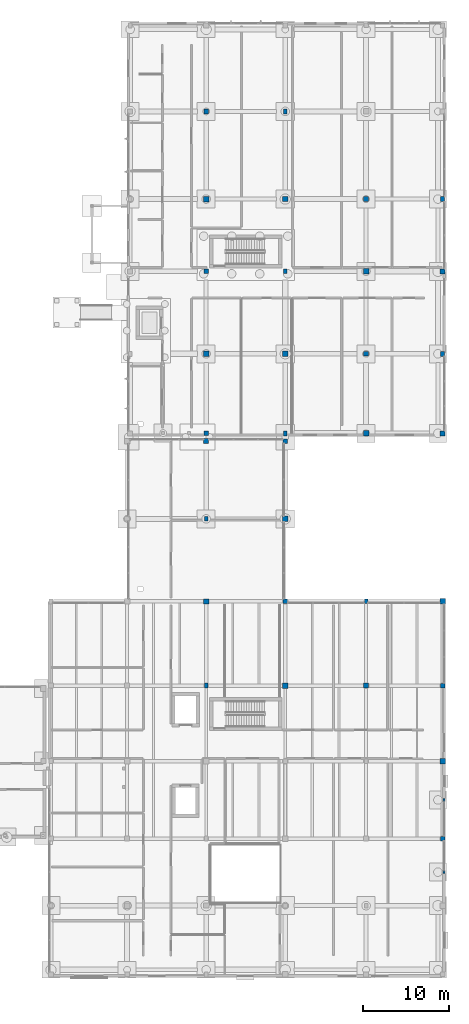
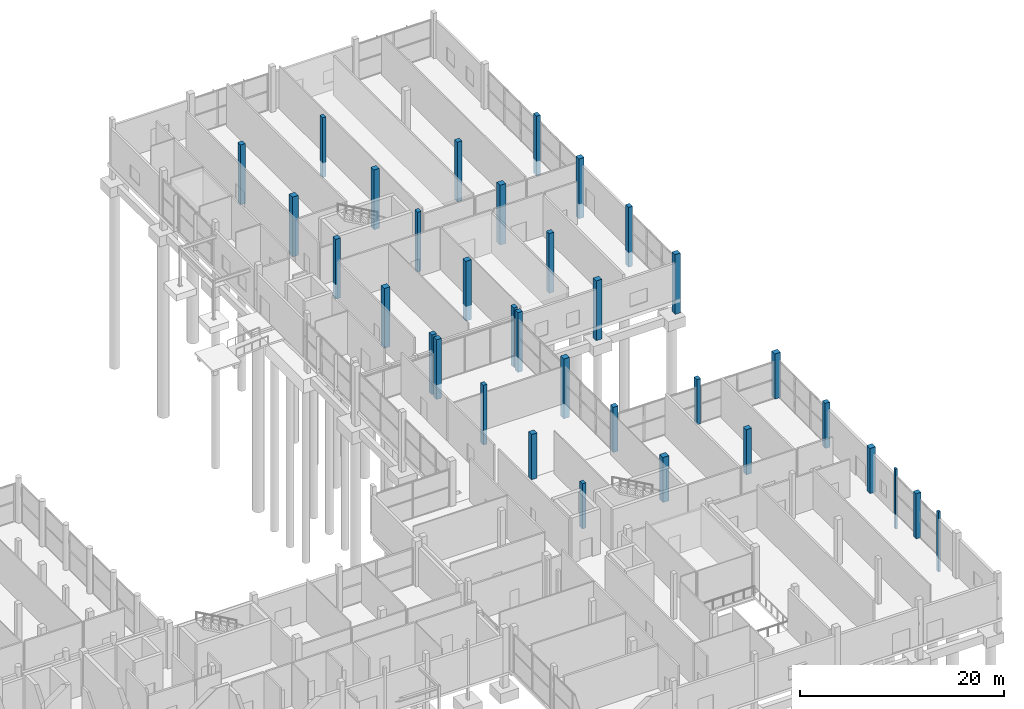
# One storey, part 15 of 88: 34 columns.
"""IFC4 building model written with IfcOpenShell, lengths in metres."""

from ifc_helpers import new_model, si_unit, direction, frame, origin, origin_2d, place, context, subcontext, project, spatial, rectangle, extrude, material, material_profile, profile_set, type_object, element, save


model = new_model("IFC4")

# Units and contexts
model_context = context("Model", 3, precision=1e-05, world=origin(), true_north=direction((0.0, 1.0)))
body_context = subcontext(model_context, "Body", "Model", "MODEL_VIEW")
ifc_project = project(units=[si_unit("LENGTHUNIT", "METRE"), si_unit("AREAUNIT", "SQUARE_METRE"), si_unit("VOLUMEUNIT", "CUBIC_METRE"), si_unit("PLANEANGLEUNIT", "RADIAN"), si_unit("MASSUNIT", "GRAM", prefix="KILO")], contexts=[model_context])

# Site, building, storey
site_placement = place(None, origin())
site = spatial("IfcSite", under=ifc_project, at=site_placement, CompositionType="ELEMENT")
building_placement = place(site_placement, origin())
building = spatial("IfcBuilding", under=site, at=building_placement, Name="Birchvale Park Specialist Clinic", CompositionType="ELEMENT")
storey_placement = place(building_placement, origin())
storey = spatial("IfcBuildingStorey", under=building, at=storey_placement, Name="L00", CompositionType="ELEMENT", Elevation=0.0)

# Columns
ifc_material = material(Name="Concrete C40/50", Category="concrete")
ifc_material_profile_1 = material_profile(ifc_material, rectangle(XDim=0.6298828125, YDim=0.6298828125, at=origin_2d()), Name="RC-630x630")
ifc_profile_set_1 = profile_set([ifc_material_profile_1], Name="Concrete C40/50")
column_type_1 = type_object("IfcColumnType", Name="COL-EXT-C02", PredefinedType="COLUMN", material=ifc_profile_set_1)
for number, where, z_axis, x_axis, name in (
    (1, (164.699951171875, 25.800048828125, 0.0), (0.0, 0.0, 1.0), (1.0, 0.0, 0.0), "V5 L00 column 40"),
    (2, (164.699951171875, 44.39990234375, 0.0), (0.0, 0.0, 1.0), (1.0, 0.0, 0.0), "V5 L00 column 42"),
):
    element("IfcColumn", number, at=place(storey_placement, frame(where, z_axis=z_axis, x_axis=x_axis)), inside=storey, type_object=column_type_1, Name=name, PredefinedType="COLUMN", context=body_context, shape_type="SweptSolid", body=[
        extrude(rectangle(XDim=0.6298828125, YDim=0.6298828125, at=origin_2d()), origin(), (0.0, 0.0, 1.0), 5.39990234375),
    ])
column_1_placement = place(storey_placement, frame((155.800048828125, 63.949951171875, -1.75), z_axis=(0.0, 0.0, 1.0), x_axis=(1.0, 0.0, 0.0)))
element("IfcColumn", 3, at=column_1_placement, inside=storey, type_object=column_type_1, Name="V6 L00 column 19", PredefinedType="COLUMN", context=body_context, shape_type="SweptSolid", body=[
    extrude(rectangle(XDim=0.6298828125, YDim=0.6298828125, at=origin_2d()), origin(), (0.0, 0.0, 1.0), 7.14990234375),
])
ifc_material_profile_2 = material_profile(ifc_material, rectangle(XDim=0.580078125, YDim=0.580078125, at=origin_2d()), Name="RC-580x580")
ifc_profile_set_2 = profile_set([ifc_material_profile_2], Name="Concrete C40/50")
column_type_2 = type_object("IfcColumnType", Name="COL-EXT-C03", PredefinedType="COLUMN", material=ifc_profile_set_2)
for number, where, z_axis, x_axis, name in (
    (4, (137.199951171875, 63.050048828125, -1.75), (0.0, 0.0, 1.0), (1.0, 0.0, 0.0), "V5 L00 column 22"),
    (5, (164.699951171875, 63.949951171875, -1.75), (0.0, 0.0, 1.0), (1.0, 0.0, 0.0), "V6 L00 column 25"),
    (6, (164.699951171875, 82.800048828125, -1.75), (0.0, 0.0, 1.0), (1.0, 0.0, 0.0), "V6 L00 column 27"),
):
    element("IfcColumn", number, at=place(storey_placement, frame(where, z_axis=z_axis, x_axis=x_axis)), inside=storey, type_object=column_type_2, Name=name, PredefinedType="COLUMN", context=body_context, shape_type="SweptSolid", body=[
        extrude(rectangle(XDim=0.580078125, YDim=0.580078125, at=origin_2d()), origin(), (0.0, 0.0, 1.0), 7.14990234375),
    ])
ifc_material_profile_3 = material_profile(ifc_material, rectangle(XDim=0.530029296875, YDim=0.530029296875, at=origin_2d()), Name="RC-530x530")
ifc_profile_set_3 = profile_set([ifc_material_profile_3], Name="Concrete C40/50")
column_type_3 = type_object("IfcColumnType", Name="COL-EXT-C04", PredefinedType="COLUMN", material=ifc_profile_set_3)
column_2_placement = place(storey_placement, frame((146.39990234375, 63.050048828125, -1.75), z_axis=(0.0, 0.0, 1.0), x_axis=(1.0, 0.0, 0.0)))
element("IfcColumn", 7, at=column_2_placement, inside=storey, type_object=column_type_3, Name="V5 L00 column 30", PredefinedType="COLUMN", context=body_context, shape_type="SweptSolid", body=[
    extrude(rectangle(XDim=0.530029296875, YDim=0.530029296875, at=origin_2d()), origin(), (0.0, 0.0, 1.0), 7.14990234375),
])
for number, where, z_axis, x_axis, name in (
    (8, (164.699951171875, 16.800048828125, 0.0), (0.0, 0.0, 1.0), (1.0, 0.0, 0.0), "V5 L00 column 39"),
    (9, (164.699951171875, 34.60009765625, 0.0), (0.0, 0.0, 1.0), (1.0, 0.0, 0.0), "V5 L00 column 41"),
):
    element("IfcColumn", number, at=place(storey_placement, frame(where, z_axis=z_axis, x_axis=x_axis)), inside=storey, type_object=column_type_3, Name=name, PredefinedType="COLUMN", context=body_context, shape_type="SweptSolid", body=[
        extrude(rectangle(XDim=0.530029296875, YDim=0.530029296875, at=origin_2d()), origin(), (0.0, 0.0, 1.0), 5.39990234375),
    ])
column_3_placement = place(storey_placement, frame((137.199951171875, 63.949951171875, -1.75), z_axis=(0.0, 0.0, 1.0), x_axis=(1.0, 0.0, 0.0)))
element("IfcColumn", 10, at=column_3_placement, inside=storey, type_object=column_type_3, Name="V6 L00 column 7", PredefinedType="COLUMN", context=body_context, shape_type="SweptSolid", body=[
    extrude(rectangle(XDim=0.530029296875, YDim=0.530029296875, at=origin_2d()), origin(), (0.0, 0.0, 1.0), 7.14990234375),
])
ifc_material_profile_4 = material_profile(ifc_material, rectangle(XDim=0.419921875, YDim=0.580078125, at=origin_2d()), Name="RC-420x580")
ifc_profile_set_4 = profile_set([ifc_material_profile_4], Name="Concrete C40/50")
column_type_4 = type_object("IfcColumnType", Name="COL-EXT-C10", PredefinedType="COLUMN", material=ifc_profile_set_4)
for number, where, z_axis, x_axis, name in (
    (11, (146.39990234375, 63.949951171875, -1.75), (0.0, 0.0, 1.0), (1.0, 0.0, 0.0), "V6 L00 column 13"),
    (12, (164.699951171875, 73.199951171875, -1.75), (0.0, 0.0, 1.0), (1.0, 0.0, 0.0), "V6 L00 column 26"),
    (13, (164.699951171875, 91.199951171875, -1.75), (0.0, 0.0, 1.0), (1.0, 0.0, 0.0), "V6 L00 column 28"),
):
    element("IfcColumn", number, at=place(storey_placement, frame(where, z_axis=z_axis, x_axis=x_axis)), inside=storey, type_object=column_type_4, Name=name, PredefinedType="COLUMN", context=body_context, shape_type="SweptSolid", body=[
        extrude(rectangle(XDim=0.419921875, YDim=0.580078125, at=origin_2d()), origin(), (0.0, 0.0, 1.0), 7.14990234375),
    ])
ifc_material_profile_5 = material_profile(ifc_material, rectangle(XDim=0.64990234375, YDim=0.64990234375, at=origin_2d()), Name="RC-650x650")
ifc_profile_set_5 = profile_set([ifc_material_profile_5], Name="Concrete C40/50")
column_type_5 = type_object("IfcColumnType", Name="COL-INT-C02", PredefinedType="COLUMN", material=ifc_profile_set_5)
column_4_placement = place(storey_placement, frame((146.39990234375, 34.60009765625, 0.0), z_axis=(0.0, 0.0, 1.0), x_axis=(1.0, 0.0, 0.0)))
element("IfcColumn", 14, at=column_4_placement, inside=storey, type_object=column_type_5, Name="V5 L00 column 27", PredefinedType="COLUMN", context=body_context, shape_type="SweptSolid", body=[
    extrude(rectangle(XDim=0.64990234375, YDim=0.64990234375, at=origin_2d()), origin(), (0.0, 0.0, 1.0), 5.39990234375),
])
for number, where, z_axis, x_axis, name in (
    (15, (146.39990234375, 54.0, -1.75), (0.0, 0.0, 1.0), (1.0, 0.0, 0.0), "V5 L00 column 29"),
    (16, (137.199951171875, 73.199951171875, -1.75), (0.0, 0.0, 1.0), (1.0, 0.0, 0.0), "V6 L00 column 8"),
    (17, (137.199951171875, 91.199951171875, -1.75), (0.0, 0.0, 1.0), (1.0, 0.0, 0.0), "V6 L00 column 10"),
    (18, (155.800048828125, 82.800048828125, -1.75), (0.0, 0.0, 1.0), (1.0, 0.0, 0.0), "V6 L00 column 21"),
):
    element("IfcColumn", number, at=place(storey_placement, frame(where, z_axis=z_axis, x_axis=x_axis)), inside=storey, type_object=column_type_5, Name=name, PredefinedType="COLUMN", context=body_context, shape_type="SweptSolid", body=[
        extrude(rectangle(XDim=0.64990234375, YDim=0.64990234375, at=origin_2d()), origin(), (0.0, 0.0, 1.0), 7.14990234375),
    ])
ifc_material_profile_6 = material_profile(ifc_material, rectangle(XDim=0.60009765625, YDim=0.60009765625, at=origin_2d()), Name="RC-600x600")
ifc_profile_set_6 = profile_set([ifc_material_profile_6], Name="Concrete C40/50")
column_type_6 = type_object("IfcColumnType", Name="COL-INT-C03", PredefinedType="COLUMN", material=ifc_profile_set_6)
for number, where, z_axis, x_axis, name in (
    (19, (137.199951171875, 44.39990234375, 0.0), (0.0, 0.0, 1.0), (1.0, 0.0, 0.0), "V5 L00 column 20"),
    (20, (155.800048828125, 34.60009765625, 0.0), (0.0, 0.0, 1.0), (1.0, 0.0, 0.0), "V5 L00 column 35"),
):
    element("IfcColumn", number, at=place(storey_placement, frame(where, z_axis=z_axis, x_axis=x_axis)), inside=storey, type_object=column_type_6, Name=name, PredefinedType="COLUMN", context=body_context, shape_type="SweptSolid", body=[
        extrude(rectangle(XDim=0.60009765625, YDim=0.60009765625, at=origin_2d()), origin(), (0.0, 0.0, 1.0), 5.39990234375),
    ])
for number, where, z_axis, x_axis, name in (
    (21, (146.39990234375, 73.199951171875, -1.75), (0.0, 0.0, 1.0), (1.0, 0.0, 0.0), "V6 L00 column 14"),
    (22, (146.39990234375, 91.199951171875, -1.75), (0.0, 0.0, 1.0), (1.0, 0.0, 0.0), "V6 L00 column 16"),
):
    element("IfcColumn", number, at=place(storey_placement, frame(where, z_axis=z_axis, x_axis=x_axis)), inside=storey, type_object=column_type_6, Name=name, PredefinedType="COLUMN", context=body_context, shape_type="SweptSolid", body=[
        extrude(rectangle(XDim=0.60009765625, YDim=0.60009765625, at=origin_2d()), origin(), (0.0, 0.0, 1.0), 7.14990234375),
    ])
ifc_material_profile_7 = material_profile(ifc_material, rectangle(XDim=0.550048828125, YDim=0.550048828125, at=origin_2d()), Name="RC-550x550")
ifc_profile_set_7 = profile_set([ifc_material_profile_7], Name="Concrete C40/50")
column_type_7 = type_object("IfcColumnType", Name="COL-INT-C04", PredefinedType="COLUMN", material=ifc_profile_set_7)
column_5_placement = place(storey_placement, frame((146.39990234375, 44.39990234375, 0.0), z_axis=(0.0, 0.0, 1.0), x_axis=(1.0, 0.0, 0.0)))
element("IfcColumn", 23, at=column_5_placement, inside=storey, type_object=column_type_7, Name="V5 L00 column 28", PredefinedType="COLUMN", context=body_context, shape_type="SweptSolid", body=[
    extrude(rectangle(XDim=0.550048828125, YDim=0.550048828125, at=origin_2d()), origin(), (0.0, 0.0, 1.0), 5.39990234375),
])
for number, where, z_axis, x_axis, name in (
    (24, (137.199951171875, 82.800048828125, -1.75), (0.0, 0.0, 1.0), (1.0, 0.0, 0.0), "V6 L00 column 9"),
    (25, (137.199951171875, 101.39990234375, -1.75), (0.0, 0.0, 1.0), (1.0, 0.0, 0.0), "V6 L00 column 11"),
    (26, (155.800048828125, 73.199951171875, -1.75), (0.0, 0.0, 1.0), (1.0, 0.0, 0.0), "V6 L00 column 20"),
    (27, (155.800048828125, 91.199951171875, -1.75), (0.0, 0.0, 1.0), (1.0, 0.0, 0.0), "V6 L00 column 22"),
):
    element("IfcColumn", number, at=place(storey_placement, frame(where, z_axis=z_axis, x_axis=x_axis)), inside=storey, type_object=column_type_7, Name=name, PredefinedType="COLUMN", context=body_context, shape_type="SweptSolid", body=[
        extrude(rectangle(XDim=0.550048828125, YDim=0.550048828125, at=origin_2d()), origin(), (0.0, 0.0, 1.0), 7.14990234375),
    ])
ifc_material_profile_8 = material_profile(ifc_material, rectangle(XDim=0.39990234375, YDim=0.550048828125, at=origin_2d()), Name="RC-400x550")
ifc_profile_set_8 = profile_set([ifc_material_profile_8], Name="Concrete C40/50")
column_type_8 = type_object("IfcColumnType", Name="COL-INT-C10", PredefinedType="COLUMN", material=ifc_profile_set_8)
column_6_placement = place(storey_placement, frame((137.199951171875, 34.60009765625, 0.0), z_axis=(0.0, 0.0, 1.0), x_axis=(1.0, 0.0, 0.0)))
element("IfcColumn", 28, at=column_6_placement, inside=storey, type_object=column_type_8, Name="V5 L00 column 19", PredefinedType="COLUMN", context=body_context, shape_type="SweptSolid", body=[
    extrude(rectangle(XDim=0.39990234375, YDim=0.550048828125, at=origin_2d()), origin(), (0.0, 0.0, 1.0), 5.39990234375),
])
column_7_placement = place(storey_placement, frame((137.199951171875, 54.0, -1.75), z_axis=(0.0, 0.0, 1.0), x_axis=(1.0, 0.0, 0.0)))
element("IfcColumn", 29, at=column_7_placement, inside=storey, type_object=column_type_8, Name="V5 L00 column 21", PredefinedType="COLUMN", context=body_context, shape_type="SweptSolid", body=[
    extrude(rectangle(XDim=0.39990234375, YDim=0.550048828125, at=origin_2d()), origin(), (0.0, 0.0, 1.0), 7.14990234375),
])
column_8_placement = place(storey_placement, frame((155.800048828125, 44.39990234375, 0.0), z_axis=(0.0, 0.0, 1.0), x_axis=(1.0, 0.0, 0.0)))
element("IfcColumn", 30, at=column_8_placement, inside=storey, type_object=column_type_8, Name="V5 L00 column 36", PredefinedType="COLUMN", context=body_context, shape_type="SweptSolid", body=[
    extrude(rectangle(XDim=0.39990234375, YDim=0.550048828125, at=origin_2d()), origin(), (0.0, 0.0, 1.0), 5.39990234375),
])
for number, where, z_axis, x_axis, name in (
    (31, (146.39990234375, 82.800048828125, -1.75), (0.0, 0.0, 1.0), (1.0, 0.0, 0.0), "V6 L00 column 15"),
    (32, (146.39990234375, 101.39990234375, -1.75), (0.0, 0.0, 1.0), (1.0, 0.0, 0.0), "V6 L00 column 17"),
):
    element("IfcColumn", number, at=place(storey_placement, frame(where, z_axis=z_axis, x_axis=x_axis)), inside=storey, type_object=column_type_8, Name=name, PredefinedType="COLUMN", context=body_context, shape_type="SweptSolid", body=[
        extrude(rectangle(XDim=0.39990234375, YDim=0.550048828125, at=origin_2d()), origin(), (0.0, 0.0, 1.0), 7.14990234375),
    ])
ifc_material_profile_9 = material_profile(ifc_material, rectangle(XDim=0.25, YDim=0.340087890625, at=origin_2d()), Name="PIL-250x340")
ifc_profile_set_9 = profile_set([ifc_material_profile_9], Name="Concrete C40/50")
column_type_9 = type_object("IfcColumnType", Name="PIL-PL3", PredefinedType="PILASTER", material=ifc_profile_set_9)
column_9_placement = place(storey_placement, frame((164.8798828125, 12.89990234375, -1.75), z_axis=(0.0, 0.0, 1.0), x_axis=(1.0, 0.0, 0.0)))
element("IfcColumn", 33, at=column_9_placement, inside=storey, type_object=column_type_9, Name="V5 L00 facade pilaster 27", PredefinedType="PILASTER", context=body_context, shape_type="SweptSolid", body=[
    extrude(rectangle(XDim=0.25, YDim=0.340087890625, at=origin_2d()), origin(), (0.0, 0.0, 1.0), 7.14990234375),
])
ifc_material_profile_10 = material_profile(ifc_material, rectangle(XDim=0.239990234375, YDim=0.320068359375, at=origin_2d()), Name="PIL-240x320")
ifc_profile_set_10 = profile_set([ifc_material_profile_10], Name="Concrete C40/50")
column_type_10 = type_object("IfcColumnType", Name="PIL-PL4", PredefinedType="PILASTER", material=ifc_profile_set_10)
column_10_placement = place(storey_placement, frame((164.8798828125, 21.300048828125, -1.75), z_axis=(0.0, 0.0, 1.0), x_axis=(1.0, 0.0, 0.0)))
element("IfcColumn", 34, at=column_10_placement, inside=storey, type_object=column_type_10, Name="V5 L00 facade pilaster 28", PredefinedType="PILASTER", context=body_context, shape_type="SweptSolid", body=[
    extrude(rectangle(XDim=0.239990234375, YDim=0.320068359375, at=origin_2d()), origin(), (0.0, 0.0, 1.0), 7.14990234375),
])

save(model, "model.ifc")
